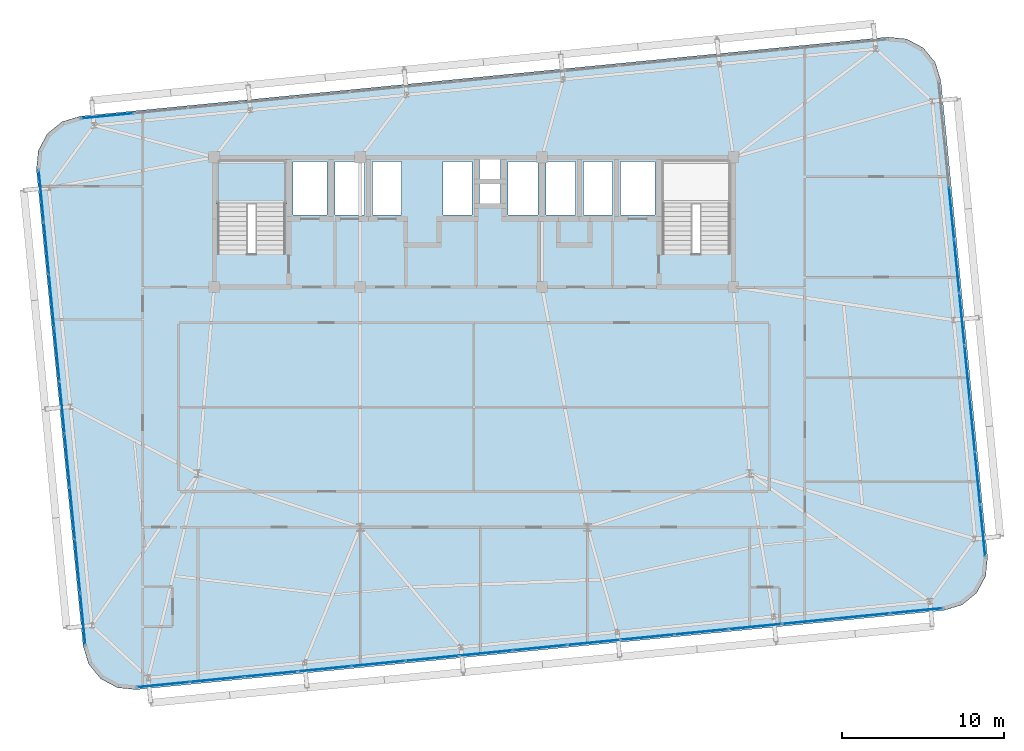
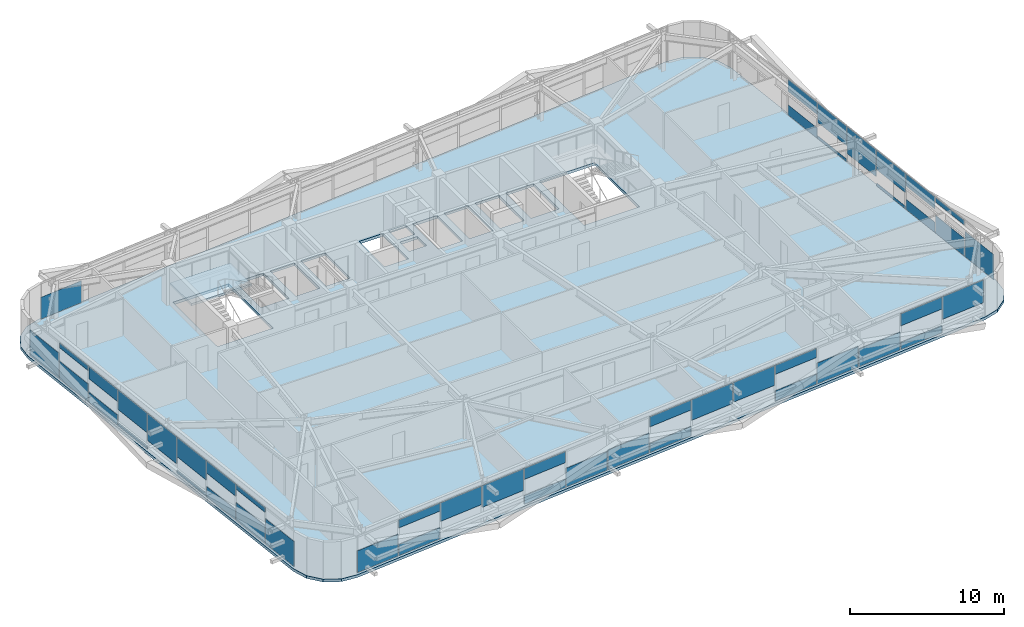
# One storey, part 36 of 52: 48 plates, 2 slabs, 5 elements without a shape of their own.
"""IFC4 building model written with IfcOpenShell, lengths in metres."""

from ifc_helpers import new_model, si_unit, direction, frame, origin, origin_2d, place, context, subcontext, project, spatial, polyline, rectangle, outline, extrude, source, transform, mapped, material, layer, layer_set, type_object, element, aggregate, save


model = new_model("IFC4")

# Units and contexts
model_context = context("Model", 3, precision=1e-05, world=origin(), true_north=direction((0.0, 1.0)))
body_context = subcontext(model_context, "Body", "Model", "MODEL_VIEW")
ifc_project = project(units=[si_unit("LENGTHUNIT", "METRE"), si_unit("AREAUNIT", "SQUARE_METRE"), si_unit("VOLUMEUNIT", "CUBIC_METRE"), si_unit("PLANEANGLEUNIT", "RADIAN"), si_unit("MASSUNIT", "GRAM", prefix="KILO")], contexts=[model_context])

# Site, building, storey
site_placement = place(None, origin())
site = spatial("IfcSite", under=ifc_project, at=site_placement, CompositionType="ELEMENT")
building_placement = place(site_placement, origin())
building = spatial("IfcBuilding", under=site, at=building_placement, Name="Taldren Reach Tower", CompositionType="ELEMENT")
storey_placement = place(building_placement, frame((0.0, 0.0, 77.699951171875)))
storey = spatial("IfcBuildingStorey", under=building, at=storey_placement, Name="L23", CompositionType="ELEMENT", Elevation=77.699951171875)

# Slab
ifc_material_1 = material(Name="Concrete N40 (40 MPa)", Category="concrete")
ifc_layer_1 = layer(ifc_material_1, 0.219970703125)
ifc_layer_set_1 = layer_set([ifc_layer_1], Name="Concrete N40 (40 MPa)")
slab_type_1 = type_object("IfcSlabType", Name="SL-FLR-220", PredefinedType="FLOOR", material=ifc_layer_set_1)
slab_1_placement = place(storey_placement, frame((0.0, 0.0, -0.219970703125)))
element("IfcSlab", 1, at=slab_1_placement, inside=storey, type_object=slab_type_1, Name="Suspended floor slab L23", PredefinedType="FLOOR", context=body_context, shape_type="SweptSolid", body=[
    extrude(outline(polyline([(63.962890625, 4.07421875), (65.0830078125, 4.41357421875), (65.98828125, 5.15576171875), (66.54052734375, 6.187744140625), (66.65576171875, 7.352783203125), (63.777099609375, 36.7119140625), (63.437744140625, 37.832275390625), (62.695556640625, 38.7373046875), (61.663330078125, 39.28955078125), (60.49853515625, 39.40478515625), (10.7373046875, 34.525634765625), (9.616943359375, 34.1865234375), (8.711669921875, 33.4443359375), (8.159423828125, 32.412109375), (8.044189453125, 31.247314453125), (10.923095703125, 1.88818359375), (11.26220703125, 0.767822265625), (12.00439453125, -0.137451171875), (13.03662109375, -0.689697265625), (14.201416015625, -0.804931640625), (63.962890625, 4.07421875)]), holes=[polyline([(19.219970703125, 26.050048828125), (23.3798828125, 26.050048828125), (23.3798828125, 31.820068359375), (19.219970703125, 31.820068359375), (19.219970703125, 26.050048828125)]), polyline([(46.6201171875, 26.050048828125), (50.780029296875, 26.050048828125), (50.780029296875, 31.820068359375), (46.6201171875, 31.820068359375), (46.6201171875, 26.050048828125)]), polyline([(23.85009765625, 28.449951171875), (25.949951171875, 28.449951171875), (25.949951171875, 31.75), (23.85009765625, 31.75), (23.85009765625, 28.449951171875)]), polyline([(44.050048828125, 28.449951171875), (46.14990234375, 28.449951171875), (46.14990234375, 31.75), (44.050048828125, 31.75), (44.050048828125, 28.449951171875)]), polyline([(26.449951171875, 28.449951171875), (28.25, 28.449951171875), (28.25, 31.75), (26.449951171875, 31.75), (26.449951171875, 28.449951171875)]), polyline([(28.75, 28.449951171875), (30.550048828125, 28.449951171875), (30.550048828125, 31.75), (28.75, 31.75), (28.75, 28.449951171875)]), polyline([(33.10009765625, 28.449951171875), (34.89990234375, 28.449951171875), (34.89990234375, 31.75), (33.10009765625, 31.75), (33.10009765625, 28.449951171875)]), polyline([(37.10009765625, 28.449951171875), (38.949951171875, 28.449951171875), (38.949951171875, 31.75), (37.10009765625, 31.75), (37.10009765625, 28.449951171875)]), polyline([(39.449951171875, 28.449951171875), (41.25, 28.449951171875), (41.25, 31.75), (39.449951171875, 31.75), (39.449951171875, 28.449951171875)]), polyline([(41.75, 28.449951171875), (43.550048828125, 28.449951171875), (43.550048828125, 31.75), (41.75, 31.75), (41.75, 28.449951171875)]), polyline([(35.35009765625, 30.64990234375), (36.64990234375, 30.64990234375), (36.64990234375, 31.85009765625), (35.35009765625, 31.85009765625), (35.35009765625, 30.64990234375)]), polyline([(35.35009765625, 29.14990234375), (36.64990234375, 29.14990234375), (36.64990234375, 30.35009765625), (35.35009765625, 30.35009765625), (35.35009765625, 29.14990234375)])]), origin(), (0.0, 0.0, 1.0), 0.219970703125),
])

# Stair, slab
ifc_material_2 = material(Name="Concrete S50 (50 MPa)", Category="concrete")
stair_type = type_object("IfcStairType", Name="ST-HT-315", PredefinedType="HALF_TURN_STAIR", material=ifc_material_2)
stair_placement = place(storey_placement, origin())
stair = element("IfcStair", 2, at=stair_placement, inside=storey, type_object=stair_type, Name="Fire-isolated exit stair ST1 L23", PredefinedType="HALF_TURN_STAIR")
ifc_layer_2 = layer(ifc_material_2, 0.179931640625)
ifc_layer_set_2 = layer_set([ifc_layer_2], Name="Concrete S50 (50 MPa)")
slab_type_2 = type_object("IfcSlabType", Name="SL-LAND-180", PredefinedType="LANDING", material=ifc_layer_set_2)
slab_2_placement = place(storey_placement, frame((0.0, 0.0, 1.39501953125)))
slab_2 = element("IfcSlab", 3, at=slab_2_placement, type_object=slab_type_2, Name="ST1 landing 1", PredefinedType="LANDING", context=body_context, shape_type="SweptSolid", body=[
    extrude(outline(polyline([(19.0400390625, 29.135009765625), (23.56005859375, 29.135009765625), (23.56005859375, 31.8701171875), (19.0400390625, 31.8701171875), (19.0400390625, 29.135009765625)])), origin(), (0.0, 0.0, 1.0), 0.179931640625),
])
aggregate(stair, [slab_2])

# Curtain wall, plate
ifc_material_3 = material(Name="Aluminium and Low-E Glass Unitised System", Category="aluminium")
ifc_layer_3 = layer(ifc_material_3, 0.159912109375)
ifc_layer_set_3 = layer_set([ifc_layer_3], Name="Aluminium and Low-E Glass Unitised System")
curtain_wall_type = type_object("IfcCurtainWallType", Name="CW-SYS-3", PredefinedType="NOTDEFINED", material=ifc_layer_set_3)
curtain_wall_1_placement = place(storey_placement, origin())
curtain_wall_1 = element("IfcCurtainWall", 4, at=curtain_wall_1_placement, inside=storey, type_object=curtain_wall_type, Name="Unitised curtain wall CW-L23-S", PredefinedType="NOTDEFINED")
ifc_material_4 = material(Name="Solar-Control Double Glazed IGU", Category="glass")
ifc_layer_4 = layer(ifc_material_4, 0.031982421875)
ifc_layer_set_4 = layer_set([ifc_layer_4], Name="Solar-Control Double Glazed IGU")
plate_type = type_object("IfcPlateType", Name="CW-PNL-IGU32", PredefinedType="CURTAIN_PANEL", material=ifc_layer_set_4)
shared_shape_1 = source(origin(), body_context, "Body", "SweptSolid", [
    extrude(rectangle(XDim=3.23583984375, YDim=0.031982421875, at=origin_2d()), origin(), (0.0, 0.0, 1.0), 1.72509765625),
])
plate_1_placement = place(storey_placement, frame((15.862548828125, -0.501220703125, 0.054931640625), z_axis=(0.0, 0.0, 1.0), x_axis=(0.995227390247, 0.097582999046, 0.0)))
plate_1 = element("IfcPlate", 5, at=plate_1_placement, type_object=plate_type, Name="CW-3 panel 1.1 part 1", PredefinedType="CURTAIN_PANEL", context=body_context, shape_type="MappedRepresentation", body=[
    mapped(shared_shape_1, transform((0.0, 0.0, 0.0), scale=1.0)),
])

curtain_wall_2_placement = place(storey_placement, origin())
curtain_wall_2 = element("IfcCurtainWall", 6, at=curtain_wall_2_placement, inside=storey, type_object=curtain_wall_type, Name="Unitised curtain wall CW-L23-N", PredefinedType="NOTDEFINED")
plate_2_placement = place(storey_placement, frame((12.42578125, 34.550537109375, 0.054931640625), z_axis=(0.0, 0.0, 1.0), x_axis=(-0.995227390247, -0.097582999046, 0.0)))
plate_2 = element("IfcPlate", 7, at=plate_2_placement, type_object=plate_type, Name="CW-3 panel 15.1 part 1", PredefinedType="CURTAIN_PANEL", context=body_context, shape_type="MappedRepresentation", body=[
    mapped(shared_shape_1, transform((0.0, 0.0, 0.0), scale=1.0)),
])
aggregate(curtain_wall_2, [plate_2])

# Plate
shared_shape_2 = source(origin(), body_context, "Body", "SweptSolid", [
    extrude(rectangle(XDim=3.268310546875, YDim=0.031982421875, at=origin_2d()), origin(), (0.0, 0.0, 1.0), 0.88818359375),
])
plate_3_placement = place(storey_placement, frame((19.163818359375, -0.177734375, 0.05517578125), z_axis=(0.0, 0.0, 1.0), x_axis=(0.995227390247, 0.097582999046, 0.0)))
plate_3 = element("IfcPlate", 8, at=plate_3_placement, type_object=plate_type, Name="CW-3 panel 2.1 part 1", PredefinedType="CURTAIN_PANEL", context=body_context, shape_type="MappedRepresentation", body=[
    mapped(shared_shape_2, transform((0.0, 0.0, 0.0), scale=1.0)),
])

shared_shape_3 = source(origin(), body_context, "Body", "SweptSolid", [
    extrude(rectangle(XDim=3.268310546875, YDim=0.031982421875, at=origin_2d()), origin(), (0.0, 0.0, 1.0), 0.626953125),
])
plate_4_placement = place(storey_placement, frame((19.163818359375, -0.177734375, 2.248046875), z_axis=(0.0, 0.0, 1.0), x_axis=(0.995227390247, 0.097582999046, 0.0)))
plate_4 = element("IfcPlate", 9, at=plate_4_placement, type_object=plate_type, Name="CW-3 panel 2.1 part 2", PredefinedType="CURTAIN_PANEL", context=body_context, shape_type="MappedRepresentation", body=[
    mapped(shared_shape_3, transform((0.0, 0.0, 0.0), scale=1.0)),
])

shared_shape_4 = source(origin(), body_context, "Body", "SweptSolid", [
    extrude(rectangle(XDim=3.268310546875, YDim=0.031982421875, at=origin_2d()), origin(), (0.0, 0.0, 1.0), 1.4638671875),
])
plate_5_placement = place(storey_placement, frame((22.481201171875, 0.147705078125, 1.4111328125), z_axis=(0.0, 0.0, 1.0), x_axis=(0.995227390247, 0.097582999046, 0.0)))
plate_5 = element("IfcPlate", 10, at=plate_5_placement, type_object=plate_type, Name="CW-3 panel 3.1 part 1", PredefinedType="CURTAIN_PANEL", context=body_context, shape_type="MappedRepresentation", body=[
    mapped(shared_shape_4, transform((0.0, 0.0, 0.0), scale=1.0)),
])

shared_shape_5 = source(origin(), body_context, "Body", "SweptSolid", [
    extrude(rectangle(XDim=3.268310546875, YDim=0.031982421875, at=origin_2d()), origin(), (0.0, 0.0, 1.0), 1.704833984375),
])
plate_6_placement = place(storey_placement, frame((25.798828125, 0.472900390625, 1.17041015625), z_axis=(0.0, 0.0, 1.0), x_axis=(0.995227390247, 0.097582999046, 0.0)))
plate_6 = element("IfcPlate", 11, at=plate_6_placement, type_object=plate_type, Name="CW-3 panel 4.1 part 1", PredefinedType="CURTAIN_PANEL", context=body_context, shape_type="MappedRepresentation", body=[
    mapped(shared_shape_5, transform((0.0, 0.0, 0.0), scale=1.0)),
])

shared_shape_6 = source(origin(), body_context, "Body", "SweptSolid", [
    extrude(rectangle(XDim=3.268310546875, YDim=0.031982421875, at=origin_2d()), origin(), (0.0, 0.0, 1.0), 0.647216796875),
])
plate_7_placement = place(storey_placement, frame((29.1162109375, 0.798095703125, 0.05517578125), z_axis=(0.0, 0.0, 1.0), x_axis=(0.995227390247, 0.097582999046, 0.0)))
plate_7 = element("IfcPlate", 12, at=plate_7_placement, type_object=plate_type, Name="CW-3 panel 5.1 part 1", PredefinedType="CURTAIN_PANEL", context=body_context, shape_type="MappedRepresentation", body=[
    mapped(shared_shape_6, transform((0.0, 0.0, 0.0), scale=1.0)),
])

shared_shape_7 = source(origin(), body_context, "Body", "SweptSolid", [
    extrude(rectangle(XDim=3.268310546875, YDim=0.031982421875, at=origin_2d()), origin(), (0.0, 0.0, 1.0), 0.867919921875),
])
plate_8_placement = place(storey_placement, frame((29.1162109375, 0.798095703125, 2.00732421875), z_axis=(0.0, 0.0, 1.0), x_axis=(0.995227390247, 0.097582999046, 0.0)))
plate_8 = element("IfcPlate", 13, at=plate_8_placement, type_object=plate_type, Name="CW-3 panel 5.1 part 2", PredefinedType="CURTAIN_PANEL", context=body_context, shape_type="MappedRepresentation", body=[
    mapped(shared_shape_7, transform((0.0, 0.0, 0.0), scale=1.0)),
])

shared_shape_8 = source(origin(), body_context, "Body", "SweptSolid", [
    extrude(rectangle(XDim=3.268310546875, YDim=0.031982421875, at=origin_2d()), origin(), (0.0, 0.0, 1.0), 1.484130859375),
])
plate_9_placement = place(storey_placement, frame((32.43359375, 1.12353515625, 0.05517578125), z_axis=(0.0, 0.0, 1.0), x_axis=(0.995227390247, 0.097582999046, 0.0)))
plate_9 = element("IfcPlate", 14, at=plate_9_placement, type_object=plate_type, Name="CW-3 panel 6.1 part 1", PredefinedType="CURTAIN_PANEL", context=body_context, shape_type="MappedRepresentation", body=[
    mapped(shared_shape_8, transform((0.0, 0.0, 0.0), scale=1.0)),
])

shared_shape_9 = source(origin(), body_context, "Body", "SweptSolid", [
    extrude(rectangle(XDim=3.268310546875, YDim=0.031982421875, at=origin_2d()), origin(), (0.0, 0.0, 1.0), 1.564453125),
])
plate_10_placement = place(storey_placement, frame((35.7509765625, 1.44873046875, 0.054931640625), z_axis=(0.0, 0.0, 1.0), x_axis=(0.995227390247, 0.097582999046, 0.0)))
plate_10 = element("IfcPlate", 15, at=plate_10_placement, type_object=plate_type, Name="CW-3 panel 7.1 part 1", PredefinedType="CURTAIN_PANEL", context=body_context, shape_type="MappedRepresentation", body=[
    mapped(shared_shape_9, transform((0.0, 0.0, 0.0), scale=1.0)),
])

shared_shape_10 = source(origin(), body_context, "Body", "SweptSolid", [
    extrude(rectangle(XDim=3.268310546875, YDim=0.031982421875, at=origin_2d()), origin(), (0.0, 0.0, 1.0), 0.7275390625),
])
plate_11_placement = place(storey_placement, frame((39.068359375, 1.77392578125, 0.05517578125), z_axis=(0.0, 0.0, 1.0), x_axis=(0.995227390247, 0.097582999046, 0.0)))
plate_11 = element("IfcPlate", 16, at=plate_11_placement, type_object=plate_type, Name="CW-3 panel 8.1 part 1", PredefinedType="CURTAIN_PANEL", context=body_context, shape_type="MappedRepresentation", body=[
    mapped(shared_shape_10, transform((0.0, 0.0, 0.0), scale=1.0)),
])

shared_shape_11 = source(origin(), body_context, "Body", "SweptSolid", [
    extrude(rectangle(XDim=3.268310546875, YDim=0.031982421875, at=origin_2d()), origin(), (0.0, 0.0, 1.0), 0.78759765625),
])
plate_12_placement = place(storey_placement, frame((39.068359375, 1.77392578125, 2.08740234375), z_axis=(0.0, 0.0, 1.0), x_axis=(0.995227390247, 0.097582999046, 0.0)))
plate_12 = element("IfcPlate", 17, at=plate_12_placement, type_object=plate_type, Name="CW-3 panel 8.1 part 2", PredefinedType="CURTAIN_PANEL", context=body_context, shape_type="MappedRepresentation", body=[
    mapped(shared_shape_11, transform((0.0, 0.0, 0.0), scale=1.0)),
])

shared_shape_12 = source(origin(), body_context, "Body", "SweptSolid", [
    extrude(rectangle(XDim=3.268310546875, YDim=0.031982421875, at=origin_2d()), origin(), (0.0, 0.0, 1.0), 1.62451171875),
])
plate_13_placement = place(storey_placement, frame((42.3857421875, 2.099365234375, 1.25048828125), z_axis=(0.0, 0.0, 1.0), x_axis=(0.995227390247, 0.097582999046, 0.0)))
plate_13 = element("IfcPlate", 18, at=plate_13_placement, type_object=plate_type, Name="CW-3 panel 9.1 part 1", PredefinedType="CURTAIN_PANEL", context=body_context, shape_type="MappedRepresentation", body=[
    mapped(shared_shape_12, transform((0.0, 0.0, 0.0), scale=1.0)),
])

shared_shape_13 = source(origin(), body_context, "Body", "SweptSolid", [
    extrude(rectangle(XDim=3.268310546875, YDim=0.031982421875, at=origin_2d()), origin(), (0.0, 0.0, 1.0), 1.544189453125),
])
plate_14_placement = place(storey_placement, frame((45.703369140625, 2.424560546875, 1.3310546875), z_axis=(0.0, 0.0, 1.0), x_axis=(0.995227390247, 0.097582999046, 0.0)))
plate_14 = element("IfcPlate", 19, at=plate_14_placement, type_object=plate_type, Name="CW-3 panel 10.1 part 1", PredefinedType="CURTAIN_PANEL", context=body_context, shape_type="MappedRepresentation", body=[
    mapped(shared_shape_13, transform((0.0, 0.0, 0.0), scale=1.0)),
])

shared_shape_14 = source(origin(), body_context, "Body", "SweptSolid", [
    extrude(rectangle(XDim=3.268310546875, YDim=0.031982421875, at=origin_2d()), origin(), (0.0, 0.0, 1.0), 0.807861328125),
])
plate_15_placement = place(storey_placement, frame((49.020751953125, 2.749755859375, 0.05517578125), z_axis=(0.0, 0.0, 1.0), x_axis=(0.995227390247, 0.097582999046, 0.0)))
plate_15 = element("IfcPlate", 20, at=plate_15_placement, type_object=plate_type, Name="CW-3 panel 11.1 part 1", PredefinedType="CURTAIN_PANEL", context=body_context, shape_type="MappedRepresentation", body=[
    mapped(shared_shape_14, transform((0.0, 0.0, 0.0), scale=1.0)),
])

shared_shape_15 = source(origin(), body_context, "Body", "SweptSolid", [
    extrude(rectangle(XDim=3.268310546875, YDim=0.031982421875, at=origin_2d()), origin(), (0.0, 0.0, 1.0), 0.707275390625),
])
plate_16_placement = place(storey_placement, frame((49.020751953125, 2.749755859375, 2.16796875), z_axis=(0.0, 0.0, 1.0), x_axis=(0.995227390247, 0.097582999046, 0.0)))
plate_16 = element("IfcPlate", 21, at=plate_16_placement, type_object=plate_type, Name="CW-3 panel 11.1 part 2", PredefinedType="CURTAIN_PANEL", context=body_context, shape_type="MappedRepresentation", body=[
    mapped(shared_shape_15, transform((0.0, 0.0, 0.0), scale=1.0)),
])

shared_shape_16 = source(origin(), body_context, "Body", "SweptSolid", [
    extrude(rectangle(XDim=3.268310546875, YDim=0.031982421875, at=origin_2d()), origin(), (0.0, 0.0, 1.0), 1.644775390625),
])
plate_17_placement = place(storey_placement, frame((52.338134765625, 3.0751953125, 0.05517578125), z_axis=(0.0, 0.0, 1.0), x_axis=(0.995227390247, 0.097582999046, 0.0)))
plate_17 = element("IfcPlate", 22, at=plate_17_placement, type_object=plate_type, Name="CW-3 panel 12.1 part 1", PredefinedType="CURTAIN_PANEL", context=body_context, shape_type="MappedRepresentation", body=[
    mapped(shared_shape_16, transform((0.0, 0.0, 0.0), scale=1.0)),
])

shared_shape_17 = source(origin(), body_context, "Body", "SweptSolid", [
    extrude(rectangle(XDim=3.268310546875, YDim=0.031982421875, at=origin_2d()), origin(), (0.0, 0.0, 1.0), 1.40380859375),
])
plate_18_placement = place(storey_placement, frame((55.655517578125, 3.400390625, 0.054931640625), z_axis=(0.0, 0.0, 1.0), x_axis=(0.995227390247, 0.097582999046, 0.0)))
plate_18 = element("IfcPlate", 23, at=plate_18_placement, type_object=plate_type, Name="CW-3 panel 13.1 part 1", PredefinedType="CURTAIN_PANEL", context=body_context, shape_type="MappedRepresentation", body=[
    mapped(shared_shape_17, transform((0.0, 0.0, 0.0), scale=1.0)),
])

shared_shape_18 = source(origin(), body_context, "Body", "SweptSolid", [
    extrude(rectangle(XDim=3.268310546875, YDim=0.031982421875, at=origin_2d()), origin(), (0.0, 0.0, 1.0), 0.56689453125),
])
plate_19_placement = place(storey_placement, frame((58.972900390625, 3.7255859375, 0.05517578125), z_axis=(0.0, 0.0, 1.0), x_axis=(0.995227390247, 0.097582999046, 0.0)))
plate_19 = element("IfcPlate", 24, at=plate_19_placement, type_object=plate_type, Name="CW-3 panel 14.1 part 1", PredefinedType="CURTAIN_PANEL", context=body_context, shape_type="MappedRepresentation", body=[
    mapped(shared_shape_18, transform((0.0, 0.0, 0.0), scale=1.0)),
])

shared_shape_19 = source(origin(), body_context, "Body", "SweptSolid", [
    extrude(rectangle(XDim=3.268310546875, YDim=0.031982421875, at=origin_2d()), origin(), (0.0, 0.0, 1.0), 0.9482421875),
])
plate_20_placement = place(storey_placement, frame((58.972900390625, 3.7255859375, 1.9267578125), z_axis=(0.0, 0.0, 1.0), x_axis=(0.995227390247, 0.097582999046, 0.0)))
plate_20 = element("IfcPlate", 25, at=plate_20_placement, type_object=plate_type, Name="CW-3 panel 14.1 part 2", PredefinedType="CURTAIN_PANEL", context=body_context, shape_type="MappedRepresentation", body=[
    mapped(shared_shape_19, transform((0.0, 0.0, 0.0), scale=1.0)),
])

shared_shape_20 = source(origin(), body_context, "Body", "SweptSolid", [
    extrude(rectangle(XDim=3.23583984375, YDim=0.031982421875, at=origin_2d()), origin(), (0.0, 0.0, 1.0), 1.78515625),
])
plate_21_placement = place(storey_placement, frame((62.274169921875, 4.04931640625, 1.08984375), z_axis=(0.0, 0.0, 1.0), x_axis=(0.995227390247, 0.097582999046, 0.0)))
plate_21 = element("IfcPlate", 26, at=plate_21_placement, type_object=plate_type, Name="CW-3 panel 15.1 part 1", PredefinedType="CURTAIN_PANEL", context=body_context, shape_type="MappedRepresentation", body=[
    mapped(shared_shape_20, transform((0.0, 0.0, 0.0), scale=1.0)),
])

aggregate(curtain_wall_1, [plate_1, plate_3, plate_4, plate_5, plate_6, plate_7, plate_8, plate_9, plate_10, plate_11, plate_12, plate_13, plate_14, plate_15, plate_16, plate_17, plate_18, plate_19, plate_20, plate_21])

# Curtain wall, plates
curtain_wall_3_placement = place(storey_placement, origin())
curtain_wall_3 = element("IfcCurtainWall", 27, at=curtain_wall_3_placement, inside=storey, type_object=curtain_wall_type, Name="Unitised curtain wall CW-L23-W", PredefinedType="NOTDEFINED")
shared_shape_21 = source(origin(), body_context, "Body", "SweptSolid", [
    extrude(rectangle(XDim=3.18017578125, YDim=0.031982421875, at=origin_2d()), origin(), (0.0, 0.0, 1.0), 1.989501953125),
])
plate_22_placement = place(storey_placement, frame((8.34521484375, 29.61376953125, 0.05517578125), z_axis=(0.0, 0.0, 1.0), x_axis=(0.09758274098, -0.99522741555, 0.0)))
plate_22 = element("IfcPlate", 28, at=plate_22_placement, type_object=plate_type, Name="CW-3 panel 1.1 part 1", PredefinedType="CURTAIN_PANEL", context=body_context, shape_type="MappedRepresentation", body=[
    mapped(shared_shape_21, transform((0.0, 0.0, 0.0), scale=1.0)),
])
plate_23_placement = place(storey_placement, frame((10.90087890625, 3.549072265625, 0.05517578125), z_axis=(0.0, 0.0, 1.0), x_axis=(0.09758274098, -0.99522741555, 0.0)))
plate_23 = element("IfcPlate", 29, at=plate_23_placement, type_object=plate_type, Name="CW-3 panel 9.1 part 1", PredefinedType="CURTAIN_PANEL", context=body_context, shape_type="MappedRepresentation", body=[
    mapped(shared_shape_21, transform((0.0, 0.0, 0.0), scale=1.0)),
])

# Curtain wall, plate
curtain_wall_4_placement = place(storey_placement, origin())
curtain_wall_4 = element("IfcCurtainWall", 30, at=curtain_wall_4_placement, inside=storey, type_object=curtain_wall_type, Name="Unitised curtain wall CW-L23-E", PredefinedType="NOTDEFINED")
plate_24_placement = place(storey_placement, frame((66.35498046875, 8.986328125, 0.05517578125), z_axis=(0.0, 0.0, 1.0), x_axis=(-0.09758274098, 0.99522741555, 0.0)))
plate_24 = element("IfcPlate", 31, at=plate_24_placement, type_object=plate_type, Name="CW-3 panel 1.1 part 1", PredefinedType="CURTAIN_PANEL", context=body_context, shape_type="MappedRepresentation", body=[
    mapped(shared_shape_21, transform((0.0, 0.0, 0.0), scale=1.0)),
])

# Plate
shared_shape_22 = source(origin(), body_context, "Body", "SweptSolid", [
    extrude(rectangle(XDim=3.212890625, YDim=0.031982421875, at=origin_2d()), origin(), (0.0, 0.0, 1.0), 1.401611328125),
])
plate_25_placement = place(storey_placement, frame((8.663330078125, 26.36767578125, 0.05517578125), z_axis=(0.0, 0.0, 1.0), x_axis=(0.09758274098, -0.99522741555, 0.0)))
plate_25 = element("IfcPlate", 32, at=plate_25_placement, type_object=plate_type, Name="CW-3 panel 2.1 part 1", PredefinedType="CURTAIN_PANEL", context=body_context, shape_type="MappedRepresentation", body=[
    mapped(shared_shape_22, transform((0.0, 0.0, 0.0), scale=1.0)),
])

plate_26_placement = place(storey_placement, frame((10.58251953125, 6.794921875, 0.05517578125), z_axis=(0.0, 0.0, 1.0), x_axis=(0.09758274098, -0.99522741555, 0.0)))
plate_26 = element("IfcPlate", 33, at=plate_26_placement, type_object=plate_type, Name="CW-3 panel 8.1 part 1", PredefinedType="CURTAIN_PANEL", context=body_context, shape_type="MappedRepresentation", body=[
    mapped(shared_shape_22, transform((0.0, 0.0, 0.0), scale=1.0)),
])

plate_27_placement = place(storey_placement, frame((66.03662109375, 12.232177734375, 0.05517578125), z_axis=(0.0, 0.0, 1.0), x_axis=(-0.09758274098, 0.99522741555, 0.0)))
plate_27 = element("IfcPlate", 34, at=plate_27_placement, type_object=plate_type, Name="CW-3 panel 2.1 part 1", PredefinedType="CURTAIN_PANEL", context=body_context, shape_type="MappedRepresentation", body=[
    mapped(shared_shape_22, transform((0.0, 0.0, 0.0), scale=1.0)),
])

shared_shape_23 = source(origin(), body_context, "Body", "SweptSolid", [
    extrude(rectangle(XDim=3.212890625, YDim=0.031982421875, at=origin_2d()), origin(), (0.0, 0.0, 1.0), 0.36474609375),
])
plate_28_placement = place(storey_placement, frame((8.663330078125, 26.36767578125, 2.51025390625), z_axis=(0.0, 0.0, 1.0), x_axis=(0.09758274098, -0.99522741555, 0.0)))
plate_28 = element("IfcPlate", 35, at=plate_28_placement, type_object=plate_type, Name="CW-3 panel 2.1 part 2", PredefinedType="CURTAIN_PANEL", context=body_context, shape_type="MappedRepresentation", body=[
    mapped(shared_shape_23, transform((0.0, 0.0, 0.0), scale=1.0)),
])

plate_29_placement = place(storey_placement, frame((10.58251953125, 6.794921875, 2.51025390625), z_axis=(0.0, 0.0, 1.0), x_axis=(0.09758274098, -0.99522741555, 0.0)))
plate_29 = element("IfcPlate", 36, at=plate_29_placement, type_object=plate_type, Name="CW-3 panel 8.1 part 2", PredefinedType="CURTAIN_PANEL", context=body_context, shape_type="MappedRepresentation", body=[
    mapped(shared_shape_23, transform((0.0, 0.0, 0.0), scale=1.0)),
])

plate_30_placement = place(storey_placement, frame((66.03662109375, 12.232177734375, 2.51025390625), z_axis=(0.0, 0.0, 1.0), x_axis=(-0.09758274098, 0.99522741555, 0.0)))
plate_30 = element("IfcPlate", 37, at=plate_30_placement, type_object=plate_type, Name="CW-3 panel 2.1 part 2", PredefinedType="CURTAIN_PANEL", context=body_context, shape_type="MappedRepresentation", body=[
    mapped(shared_shape_23, transform((0.0, 0.0, 0.0), scale=1.0)),
])

shared_shape_24 = source(origin(), body_context, "Body", "SweptSolid", [
    extrude(rectangle(XDim=3.212890625, YDim=0.031982421875, at=origin_2d()), origin(), (0.0, 0.0, 1.0), 0.81396484375),
])
plate_31_placement = place(storey_placement, frame((8.983154296875, 23.105712890625, 0.054931640625), z_axis=(0.0, 0.0, 1.0), x_axis=(0.09758274098, -0.99522741555, 0.0)))
plate_31 = element("IfcPlate", 38, at=plate_31_placement, type_object=plate_type, Name="CW-3 panel 3.1 part 1", PredefinedType="CURTAIN_PANEL", context=body_context, shape_type="MappedRepresentation", body=[
    mapped(shared_shape_24, transform((0.0, 0.0, 0.0), scale=1.0)),
])

plate_32_placement = place(storey_placement, frame((10.2626953125, 10.05712890625, 0.054931640625), z_axis=(0.0, 0.0, 1.0), x_axis=(0.09758274098, -0.99522741555, 0.0)))
plate_32 = element("IfcPlate", 39, at=plate_32_placement, type_object=plate_type, Name="CW-3 panel 7.1 part 1", PredefinedType="CURTAIN_PANEL", context=body_context, shape_type="MappedRepresentation", body=[
    mapped(shared_shape_24, transform((0.0, 0.0, 0.0), scale=1.0)),
])

plate_33_placement = place(storey_placement, frame((65.716796875, 15.494384765625, 0.054931640625), z_axis=(0.0, 0.0, 1.0), x_axis=(-0.09758274098, 0.99522741555, 0.0)))
plate_33 = element("IfcPlate", 40, at=plate_33_placement, type_object=plate_type, Name="CW-3 panel 3.1 part 1", PredefinedType="CURTAIN_PANEL", context=body_context, shape_type="MappedRepresentation", body=[
    mapped(shared_shape_24, transform((0.0, 0.0, 0.0), scale=1.0)),
])

plate_34_placement = place(storey_placement, frame((64.437255859375, 28.54296875, 0.054931640625), z_axis=(0.0, 0.0, 1.0), x_axis=(-0.09758274098, 0.99522741555, 0.0)))
plate_34 = element("IfcPlate", 41, at=plate_34_placement, type_object=plate_type, Name="CW-3 panel 7.1 part 1", PredefinedType="CURTAIN_PANEL", context=body_context, shape_type="MappedRepresentation", body=[
    mapped(shared_shape_24, transform((0.0, 0.0, 0.0), scale=1.0)),
])

shared_shape_25 = source(origin(), body_context, "Body", "SweptSolid", [
    extrude(rectangle(XDim=3.212890625, YDim=0.031982421875, at=origin_2d()), origin(), (0.0, 0.0, 1.0), 0.95263671875),
])
plate_35_placement = place(storey_placement, frame((8.983154296875, 23.105712890625, 1.92236328125), z_axis=(0.0, 0.0, 1.0), x_axis=(0.09758274098, -0.99522741555, 0.0)))
plate_35 = element("IfcPlate", 42, at=plate_35_placement, type_object=plate_type, Name="CW-3 panel 3.1 part 2", PredefinedType="CURTAIN_PANEL", context=body_context, shape_type="MappedRepresentation", body=[
    mapped(shared_shape_25, transform((0.0, 0.0, 0.0), scale=1.0)),
])

plate_36_placement = place(storey_placement, frame((10.2626953125, 10.05712890625, 1.92236328125), z_axis=(0.0, 0.0, 1.0), x_axis=(0.09758274098, -0.99522741555, 0.0)))
plate_36 = element("IfcPlate", 43, at=plate_36_placement, type_object=plate_type, Name="CW-3 panel 7.1 part 2", PredefinedType="CURTAIN_PANEL", context=body_context, shape_type="MappedRepresentation", body=[
    mapped(shared_shape_25, transform((0.0, 0.0, 0.0), scale=1.0)),
])

plate_37_placement = place(storey_placement, frame((65.716796875, 15.494384765625, 1.92236328125), z_axis=(0.0, 0.0, 1.0), x_axis=(-0.09758274098, 0.99522741555, 0.0)))
plate_37 = element("IfcPlate", 44, at=plate_37_placement, type_object=plate_type, Name="CW-3 panel 3.1 part 2", PredefinedType="CURTAIN_PANEL", context=body_context, shape_type="MappedRepresentation", body=[
    mapped(shared_shape_25, transform((0.0, 0.0, 0.0), scale=1.0)),
])

plate_38_placement = place(storey_placement, frame((64.437255859375, 28.54296875, 1.92236328125), z_axis=(0.0, 0.0, 1.0), x_axis=(-0.09758274098, 0.99522741555, 0.0)))
plate_38 = element("IfcPlate", 45, at=plate_38_placement, type_object=plate_type, Name="CW-3 panel 7.1 part 2", PredefinedType="CURTAIN_PANEL", context=body_context, shape_type="MappedRepresentation", body=[
    mapped(shared_shape_25, transform((0.0, 0.0, 0.0), scale=1.0)),
])

shared_shape_26 = source(origin(), body_context, "Body", "SweptSolid", [
    extrude(rectangle(XDim=3.212890625, YDim=0.031982421875, at=origin_2d()), origin(), (0.0, 0.0, 1.0), 0.22607421875),
])
plate_39_placement = place(storey_placement, frame((9.30322265625, 19.843505859375, 0.054931640625), z_axis=(0.0, 0.0, 1.0), x_axis=(0.09758274098, -0.99522741555, 0.0)))
plate_39 = element("IfcPlate", 46, at=plate_39_placement, type_object=plate_type, Name="CW-3 panel 4.1 part 1", PredefinedType="CURTAIN_PANEL", context=body_context, shape_type="MappedRepresentation", body=[
    mapped(shared_shape_26, transform((0.0, 0.0, 0.0), scale=1.0)),
])

plate_40_placement = place(storey_placement, frame((9.94287109375, 13.319091796875, 0.054931640625), z_axis=(0.0, 0.0, 1.0), x_axis=(0.09758274098, -0.99522741555, 0.0)))
plate_40 = element("IfcPlate", 47, at=plate_40_placement, type_object=plate_type, Name="CW-3 panel 6.1 part 1", PredefinedType="CURTAIN_PANEL", context=body_context, shape_type="MappedRepresentation", body=[
    mapped(shared_shape_26, transform((0.0, 0.0, 0.0), scale=1.0)),
])

plate_41_placement = place(storey_placement, frame((65.39697265625, 18.756591796875, 0.054931640625), z_axis=(0.0, 0.0, 1.0), x_axis=(-0.09758274098, 0.99522741555, 0.0)))
plate_41 = element("IfcPlate", 48, at=plate_41_placement, type_object=plate_type, Name="CW-3 panel 4.1 part 1", PredefinedType="CURTAIN_PANEL", context=body_context, shape_type="MappedRepresentation", body=[
    mapped(shared_shape_26, transform((0.0, 0.0, 0.0), scale=1.0)),
])

plate_42_placement = place(storey_placement, frame((64.757080078125, 25.28076171875, 0.054931640625), z_axis=(0.0, 0.0, 1.0), x_axis=(-0.09758274098, 0.99522741555, 0.0)))
plate_42 = element("IfcPlate", 49, at=plate_42_placement, type_object=plate_type, Name="CW-3 panel 6.1 part 1", PredefinedType="CURTAIN_PANEL", context=body_context, shape_type="MappedRepresentation", body=[
    mapped(shared_shape_26, transform((0.0, 0.0, 0.0), scale=1.0)),
])

shared_shape_27 = source(origin(), body_context, "Body", "SweptSolid", [
    extrude(rectangle(XDim=3.212890625, YDim=0.031982421875, at=origin_2d()), origin(), (0.0, 0.0, 1.0), 1.54052734375),
])
plate_43_placement = place(storey_placement, frame((9.30322265625, 19.843505859375, 1.33447265625), z_axis=(0.0, 0.0, 1.0), x_axis=(0.09758274098, -0.99522741555, 0.0)))
plate_43 = element("IfcPlate", 50, at=plate_43_placement, type_object=plate_type, Name="CW-3 panel 4.1 part 2", PredefinedType="CURTAIN_PANEL", context=body_context, shape_type="MappedRepresentation", body=[
    mapped(shared_shape_27, transform((0.0, 0.0, 0.0), scale=1.0)),
])

plate_44_placement = place(storey_placement, frame((9.94287109375, 13.319091796875, 1.33447265625), z_axis=(0.0, 0.0, 1.0), x_axis=(0.09758274098, -0.99522741555, 0.0)))
plate_44 = element("IfcPlate", 51, at=plate_44_placement, type_object=plate_type, Name="CW-3 panel 6.1 part 2", PredefinedType="CURTAIN_PANEL", context=body_context, shape_type="MappedRepresentation", body=[
    mapped(shared_shape_27, transform((0.0, 0.0, 0.0), scale=1.0)),
])

plate_45_placement = place(storey_placement, frame((65.39697265625, 18.756591796875, 1.33447265625), z_axis=(0.0, 0.0, 1.0), x_axis=(-0.09758274098, 0.99522741555, 0.0)))
plate_45 = element("IfcPlate", 52, at=plate_45_placement, type_object=plate_type, Name="CW-3 panel 4.1 part 2", PredefinedType="CURTAIN_PANEL", context=body_context, shape_type="MappedRepresentation", body=[
    mapped(shared_shape_27, transform((0.0, 0.0, 0.0), scale=1.0)),
])

plate_46_placement = place(storey_placement, frame((64.757080078125, 25.28076171875, 1.33447265625), z_axis=(0.0, 0.0, 1.0), x_axis=(-0.09758274098, 0.99522741555, 0.0)))
plate_46 = element("IfcPlate", 53, at=plate_46_placement, type_object=plate_type, Name="CW-3 panel 6.1 part 2", PredefinedType="CURTAIN_PANEL", context=body_context, shape_type="MappedRepresentation", body=[
    mapped(shared_shape_27, transform((0.0, 0.0, 0.0), scale=1.0)),
])

shared_shape_28 = source(origin(), body_context, "Body", "SweptSolid", [
    extrude(rectangle(XDim=3.212890625, YDim=0.031982421875, at=origin_2d()), origin(), (0.0, 0.0, 1.0), 2.128173828125),
])
plate_47_placement = place(storey_placement, frame((9.623046875, 16.581298828125, 0.7470703125), z_axis=(0.0, 0.0, 1.0), x_axis=(0.09758274098, -0.99522741555, 0.0)))
plate_47 = element("IfcPlate", 54, at=plate_47_placement, type_object=plate_type, Name="CW-3 panel 5.1 part 1", PredefinedType="CURTAIN_PANEL", context=body_context, shape_type="MappedRepresentation", body=[
    mapped(shared_shape_28, transform((0.0, 0.0, 0.0), scale=1.0)),
])

aggregate(curtain_wall_3, [plate_22, plate_25, plate_28, plate_31, plate_35, plate_39, plate_43, plate_47, plate_40, plate_44, plate_32, plate_36, plate_26, plate_29, plate_23])

plate_48_placement = place(storey_placement, frame((65.0771484375, 22.0185546875, 0.7470703125), z_axis=(0.0, 0.0, 1.0), x_axis=(-0.09758274098, 0.99522741555, 0.0)))
plate_48 = element("IfcPlate", 55, at=plate_48_placement, type_object=plate_type, Name="CW-3 panel 5.1 part 1", PredefinedType="CURTAIN_PANEL", context=body_context, shape_type="MappedRepresentation", body=[
    mapped(shared_shape_28, transform((0.0, 0.0, 0.0), scale=1.0)),
])

aggregate(curtain_wall_4, [plate_24, plate_27, plate_30, plate_33, plate_37, plate_41, plate_45, plate_48, plate_42, plate_46, plate_34, plate_38])

save(model, "model.ifc")
